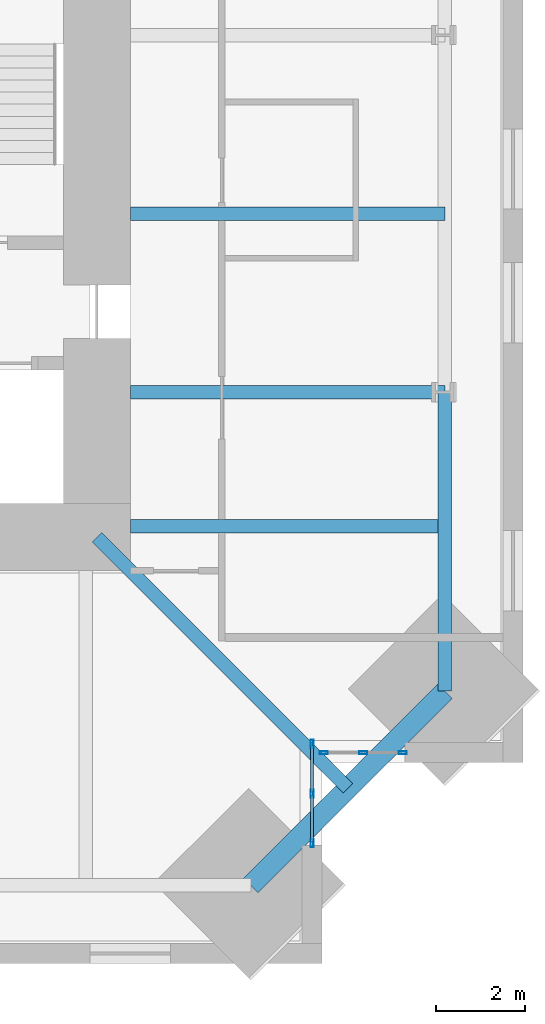
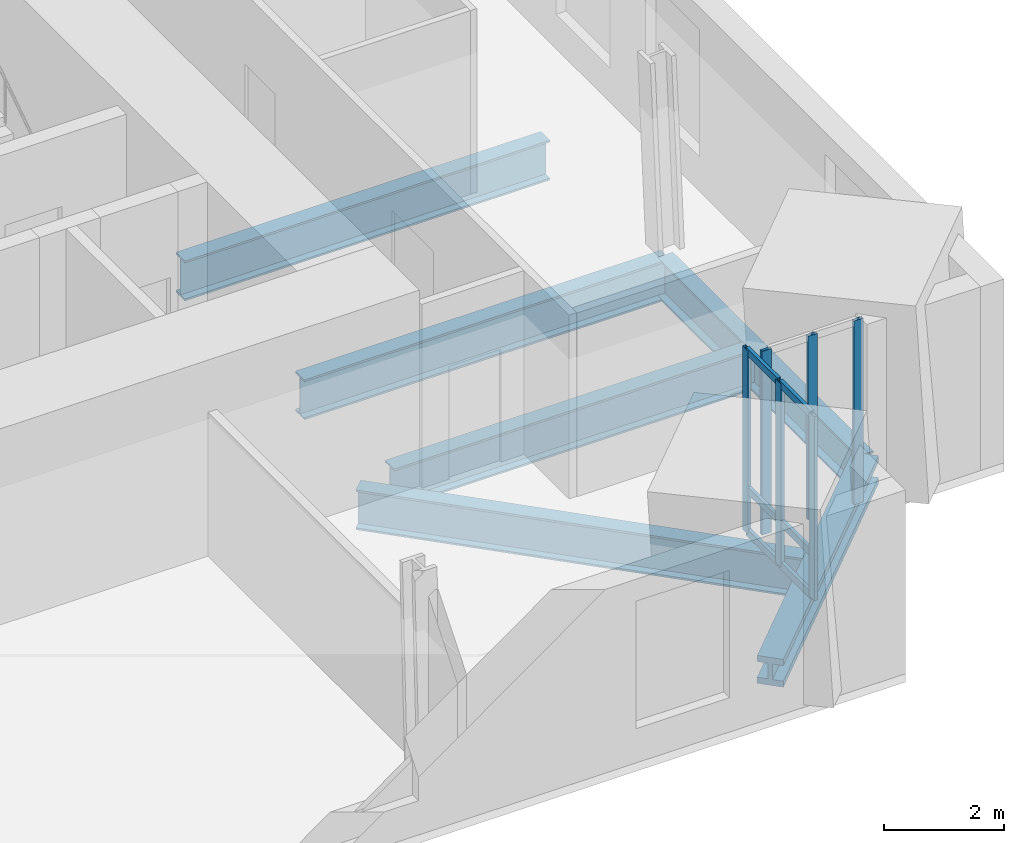
# One storey, part 4 of 15: 12 members, 6 beams, 2 elements without a shape of their own.
"""IFC4 building model written with IfcOpenShell, lengths in metres."""

from ifc_helpers import new_model, si_unit, direction, frame, origin, origin_2d, place, context, subcontext, project, spatial, hollow_rectangle, i_section, extrude, material, material_profile, profile_set, type_object, element, aggregate, save


model = new_model("IFC4")

# Units and contexts
model_context = context("Model", 3, precision=1e-05, world=origin(), true_north=direction((0.0, 1.0)))
body_context = subcontext(model_context, "Body", "Model", "MODEL_VIEW")
ifc_project = project(units=[si_unit("LENGTHUNIT", "METRE"), si_unit("AREAUNIT", "SQUARE_METRE"), si_unit("VOLUMEUNIT", "CUBIC_METRE"), si_unit("PLANEANGLEUNIT", "RADIAN"), si_unit("MASSUNIT", "GRAM", prefix="KILO")], contexts=[model_context])

# Site, building, storey
site_placement = place(None, origin())
site = spatial("IfcSite", under=ifc_project, at=site_placement, CompositionType="ELEMENT")
building_placement = place(site_placement, origin())
building = spatial("IfcBuilding", under=site, at=building_placement, Name="Peilmerk Tower", CompositionType="ELEMENT")
storey_placement = place(building_placement, frame((0.0, 0.0, 293.800048828125)))
storey = spatial("IfcBuildingStorey", under=building, at=storey_placement, Name="L66", CompositionType="ELEMENT", Elevation=293.800048828125)

# Beams
ifc_material_1 = material(Name="Steel S460", Category="steel")
ifc_material_profile_1 = material_profile(ifc_material_1, i_section(OverallWidth=0.4541015625, OverallDepth=0.569091796875, WebThickness=0.077880859375, FlangeThickness=0.125, at=origin_2d()), Name="HD 400x1086")
ifc_profile_set_1 = profile_set([ifc_material_profile_1], Name="Steel S460")
beam_type_1 = type_object("IfcBeamType", Name="B17 HD 400x1086 edge beam", PredefinedType="SPANDREL", material=ifc_profile_set_1)
beam_1_placement = place(storey_placement, frame((19.050048828125, -14.699951171875, -0.45458984375), z_axis=(-0.707106781187, -0.707106781187, 0.0), x_axis=(0.707106781187, -0.707106781187, 0.0)))
element("IfcBeam", 1, at=beam_1_placement, inside=storey, type_object=beam_type_1, Name="Notch beam L66", PredefinedType="SPANDREL", context=body_context, shape_type="SweptSolid", body=[
    extrude(i_section(OverallWidth=0.4541015625, OverallDepth=0.569091796875, WebThickness=0.077880859375, FlangeThickness=0.125, at=origin_2d()), origin(), (0.0, 0.0, 1.0), 6.15185546875),
])
ifc_material_profile_2 = material_profile(ifc_material_1, i_section(OverallWidth=0.302978515625, OverallDepth=0.81396484375, WebThickness=0.02099609375, FlangeThickness=0.0400390625, at=origin_2d()), Name="HEM 800")
ifc_profile_set_2 = profile_set([ifc_material_profile_2], Name="Steel S460")
beam_type_2 = type_object("IfcBeamType", Name="B26 HEM 800 floor beam", PredefinedType="BEAM", material=ifc_profile_set_2)
for number, where, z_axis, x_axis, name in (
    (2, (12.0, -11.0, -0.5771484375), (1.0, 0.0, 0.0), (0.0, 1.0, 0.0), "Floor beam L66"),
    (3, (12.0, -8.0, -0.5771484375), (1.0, 0.0, 0.0), (0.0, 1.0, 0.0), "Floor beam L66"),
    (4, (12.0, -4.0, -0.5771484375), (1.0, 0.0, 0.0), (0.0, 1.0, 0.0), "Floor beam L66"),
):
    element("IfcBeam", number, at=place(storey_placement, frame(where, z_axis=z_axis, x_axis=x_axis)), inside=storey, type_object=beam_type_2, Name=name, PredefinedType="BEAM", context=body_context, shape_type="SweptSolid", body=[
        extrude(i_section(OverallWidth=0.302978515625, OverallDepth=0.81396484375, WebThickness=0.02099609375, FlangeThickness=0.0400390625, at=origin_2d()), origin(), (0.0, 0.0, 1.0), 7.050048828125),
    ])
beam_2_placement = place(storey_placement, frame((11.25, -11.25, -0.5771484375), z_axis=(0.707106781187, -0.707106781187, 0.0), x_axis=(0.707106781187, 0.707106781187, 0.0)))
element("IfcBeam", 5, at=beam_2_placement, inside=storey, type_object=beam_type_2, Name="Corner girder L66", PredefinedType="BEAM", context=body_context, shape_type="SweptSolid", body=[
    extrude(i_section(OverallWidth=0.302978515625, OverallDepth=0.81396484375, WebThickness=0.02099609375, FlangeThickness=0.0400390625, at=origin_2d()), origin(), (0.0, 0.0, 1.0), 7.954833984375),
])
ifc_material_profile_3 = material_profile(ifc_material_1, i_section(OverallWidth=0.302978515625, OverallDepth=0.81396484375, WebThickness=0.02099609375, FlangeThickness=0.0400390625, at=origin_2d()), Name="HEM 800")
ifc_profile_set_3 = profile_set([ifc_material_profile_3], Name="Steel S460")
beam_type_3 = type_object("IfcBeamType", Name="B35 HEM 800 edge beam", PredefinedType="SPANDREL", material=ifc_profile_set_3)
beam_3_placement = place(storey_placement, frame((19.050048828125, -14.699951171875, -0.5771484375), z_axis=(0.0, 1.0, 0.0), x_axis=(-1.0, 0.0, 0.0)))
element("IfcBeam", 6, at=beam_3_placement, inside=storey, type_object=beam_type_3, Name="Edge beam L66", PredefinedType="SPANDREL", context=body_context, shape_type="SweptSolid", body=[
    extrude(i_section(OverallWidth=0.302978515625, OverallDepth=0.81396484375, WebThickness=0.02099609375, FlangeThickness=0.0400390625, at=origin_2d()), origin(), (0.0, 0.0, 1.0), 6.699951171875),
])

# Curtain wall, members
ifc_material_2 = material(Name="Aluminium stick curtain wall", Category="aluminium")
curtain_wall_type = type_object("IfcCurtainWallType", Name="CW4 stick curtain wall, 2250 module", PredefinedType="NOTDEFINED", material=ifc_material_2)
curtain_wall_1_placement = place(storey_placement, origin())
curtain_wall_1 = element("IfcCurtainWall", 7, at=curtain_wall_1_placement, inside=storey, type_object=curtain_wall_type, Name="Curtain wall CW4 SEA L66", PredefinedType="NOTDEFINED")
ifc_material_3 = material(Name="Aluminium EN AW-6063 T6", Category="aluminium")
ifc_material_profile_4 = material_profile(ifc_material_3, hollow_rectangle(XDim=0.06494140625, YDim=0.179931640625, WallThickness=0.0029296875, at=origin_2d()), Name="AL 180x65x3")
ifc_profile_set_4 = profile_set([ifc_material_profile_4], Name="Aluminium EN AW-6063 T6")
member_type_1 = type_object("IfcMemberType", Name="CW4-M AL 180x65x3 mullion", PredefinedType="MULLION", material=ifc_profile_set_4)
member_1_placement = place(storey_placement, frame((16.074951171875, -15.882568359375, 0.0), z_axis=(0.0, 0.0, 1.0), x_axis=(1.0, 0.0, 0.0)))
member_1 = element("IfcMember", 8, at=member_1_placement, type_object=member_type_1, Name="CW4 mullion 1", PredefinedType="MULLION", context=body_context, shape_type="SweptSolid", body=[
    extrude(hollow_rectangle(XDim=0.06494140625, YDim=0.179931640625, WallThickness=0.0029296875, at=origin_2d()), origin(), (0.0, 0.0, 1.0), 3.75),
])
member_2_placement = place(storey_placement, frame((16.074951171875, -16.994384765625, 0.0), z_axis=(0.0, 0.0, 1.0), x_axis=(1.0, 0.0, 0.0)))
member_2 = element("IfcMember", 9, at=member_2_placement, type_object=member_type_1, Name="CW4 mullion 2", PredefinedType="MULLION", context=body_context, shape_type="SweptSolid", body=[
    extrude(hollow_rectangle(XDim=0.06494140625, YDim=0.179931640625, WallThickness=0.0029296875, at=origin_2d()), origin(), (0.0, 0.0, 1.0), 3.75),
])
member_3_placement = place(storey_placement, frame((16.074951171875, -18.106201171875, 0.0), z_axis=(0.0, 0.0, 1.0), x_axis=(1.0, 0.0, 0.0)))
member_3 = element("IfcMember", 10, at=member_3_placement, type_object=member_type_1, Name="CW4 mullion 3", PredefinedType="MULLION", context=body_context, shape_type="SweptSolid", body=[
    extrude(hollow_rectangle(XDim=0.06494140625, YDim=0.179931640625, WallThickness=0.0029296875, at=origin_2d()), origin(), (0.0, 0.0, 1.0), 3.75),
])

curtain_wall_2_placement = place(storey_placement, origin())
curtain_wall_2 = element("IfcCurtainWall", 11, at=curtain_wall_2_placement, inside=storey, type_object=curtain_wall_type, Name="Curtain wall CW4 SEB L66", PredefinedType="NOTDEFINED")
member_4_placement = place(storey_placement, frame((16.33251953125, -16.074951171875, 0.0), z_axis=(0.0, 0.0, 1.0), x_axis=(0.0, 1.0, 0.0)))
member_4 = element("IfcMember", 12, at=member_4_placement, type_object=member_type_1, Name="CW4 mullion 1", PredefinedType="MULLION", context=body_context, shape_type="SweptSolid", body=[
    extrude(hollow_rectangle(XDim=0.06494140625, YDim=0.179931640625, WallThickness=0.0029296875, at=origin_2d()), origin(), (0.0, 0.0, 1.0), 3.75),
])
member_5_placement = place(storey_placement, frame((17.21923828125, -16.074951171875, 0.0), z_axis=(0.0, 0.0, 1.0), x_axis=(0.0, 1.0, 0.0)))
member_5 = element("IfcMember", 13, at=member_5_placement, type_object=member_type_1, Name="CW4 mullion 2", PredefinedType="MULLION", context=body_context, shape_type="SweptSolid", body=[
    extrude(hollow_rectangle(XDim=0.06494140625, YDim=0.179931640625, WallThickness=0.0029296875, at=origin_2d()), origin(), (0.0, 0.0, 1.0), 3.75),
])
member_6_placement = place(storey_placement, frame((18.106201171875, -16.074951171875, 0.0), z_axis=(0.0, 0.0, 1.0), x_axis=(0.0, 1.0, 0.0)))
member_6 = element("IfcMember", 14, at=member_6_placement, type_object=member_type_1, Name="CW4 mullion 3", PredefinedType="MULLION", context=body_context, shape_type="SweptSolid", body=[
    extrude(hollow_rectangle(XDim=0.06494140625, YDim=0.179931640625, WallThickness=0.0029296875, at=origin_2d()), origin(), (0.0, 0.0, 1.0), 3.75),
])
aggregate(curtain_wall_2, [member_4, member_5, member_6])

# Member
ifc_material_profile_5 = material_profile(ifc_material_3, hollow_rectangle(XDim=0.06494140625, YDim=0.14990234375, WallThickness=0.0029296875, at=origin_2d()), Name="AL 150x65x3")
ifc_profile_set_5 = profile_set([ifc_material_profile_5], Name="Aluminium EN AW-6063 T6")
member_type_2 = type_object("IfcMemberType", Name="CW4-T AL 150x65x3 transom", PredefinedType="USERDEFINED", material=ifc_profile_set_5)
member_7_placement = place(storey_placement, frame((16.074951171875, -15.9150390625, 0.032470703125), z_axis=(0.0, -1.0, 0.0), x_axis=(1.0, 0.0, 0.0)))
member_7 = element("IfcMember", 15, at=member_7_placement, type_object=member_type_2, Name="CW4 transom 1.1", ObjectType="TRANSOM", PredefinedType="USERDEFINED", context=body_context, shape_type="SweptSolid", body=[
    extrude(hollow_rectangle(XDim=0.06494140625, YDim=0.14990234375, WallThickness=0.0029296875, at=origin_2d()), origin(), (0.0, 0.0, 1.0), 1.046875),
])

member_8_placement = place(storey_placement, frame((16.074951171875, -15.9150390625, 0.89990234375), z_axis=(0.0, -1.0, 0.0), x_axis=(1.0, 0.0, 0.0)))
member_8 = element("IfcMember", 16, at=member_8_placement, type_object=member_type_2, Name="CW4 transom 1.2", ObjectType="TRANSOM", PredefinedType="USERDEFINED", context=body_context, shape_type="SweptSolid", body=[
    extrude(hollow_rectangle(XDim=0.06494140625, YDim=0.14990234375, WallThickness=0.0029296875, at=origin_2d()), origin(), (0.0, 0.0, 1.0), 1.046875),
])

member_9_placement = place(storey_placement, frame((16.074951171875, -15.9150390625, 3.717529296875), z_axis=(0.0, -1.0, 0.0), x_axis=(1.0, 0.0, 0.0)))
member_9 = element("IfcMember", 17, at=member_9_placement, type_object=member_type_2, Name="CW4 transom 1.3", ObjectType="TRANSOM", PredefinedType="USERDEFINED", context=body_context, shape_type="SweptSolid", body=[
    extrude(hollow_rectangle(XDim=0.06494140625, YDim=0.14990234375, WallThickness=0.0029296875, at=origin_2d()), origin(), (0.0, 0.0, 1.0), 1.046875),
])

member_10_placement = place(storey_placement, frame((16.074951171875, -17.02685546875, 0.032470703125), z_axis=(0.0, -1.0, 0.0), x_axis=(1.0, 0.0, 0.0)))
member_10 = element("IfcMember", 18, at=member_10_placement, type_object=member_type_2, Name="CW4 transom 2.1", ObjectType="TRANSOM", PredefinedType="USERDEFINED", context=body_context, shape_type="SweptSolid", body=[
    extrude(hollow_rectangle(XDim=0.06494140625, YDim=0.14990234375, WallThickness=0.0029296875, at=origin_2d()), origin(), (0.0, 0.0, 1.0), 1.046875),
])

member_11_placement = place(storey_placement, frame((16.074951171875, -17.02685546875, 0.89990234375), z_axis=(0.0, -1.0, 0.0), x_axis=(1.0, 0.0, 0.0)))
member_11 = element("IfcMember", 19, at=member_11_placement, type_object=member_type_2, Name="CW4 transom 2.2", ObjectType="TRANSOM", PredefinedType="USERDEFINED", context=body_context, shape_type="SweptSolid", body=[
    extrude(hollow_rectangle(XDim=0.06494140625, YDim=0.14990234375, WallThickness=0.0029296875, at=origin_2d()), origin(), (0.0, 0.0, 1.0), 1.046875),
])

member_12_placement = place(storey_placement, frame((16.074951171875, -17.02685546875, 3.717529296875), z_axis=(0.0, -1.0, 0.0), x_axis=(1.0, 0.0, 0.0)))
member_12 = element("IfcMember", 20, at=member_12_placement, type_object=member_type_2, Name="CW4 transom 2.3", ObjectType="TRANSOM", PredefinedType="USERDEFINED", context=body_context, shape_type="SweptSolid", body=[
    extrude(hollow_rectangle(XDim=0.06494140625, YDim=0.14990234375, WallThickness=0.0029296875, at=origin_2d()), origin(), (0.0, 0.0, 1.0), 1.046875),
])

aggregate(curtain_wall_1, [member_1, member_2, member_3, member_7, member_8, member_9, member_10, member_11, member_12])

save(model, "model.ifc")
